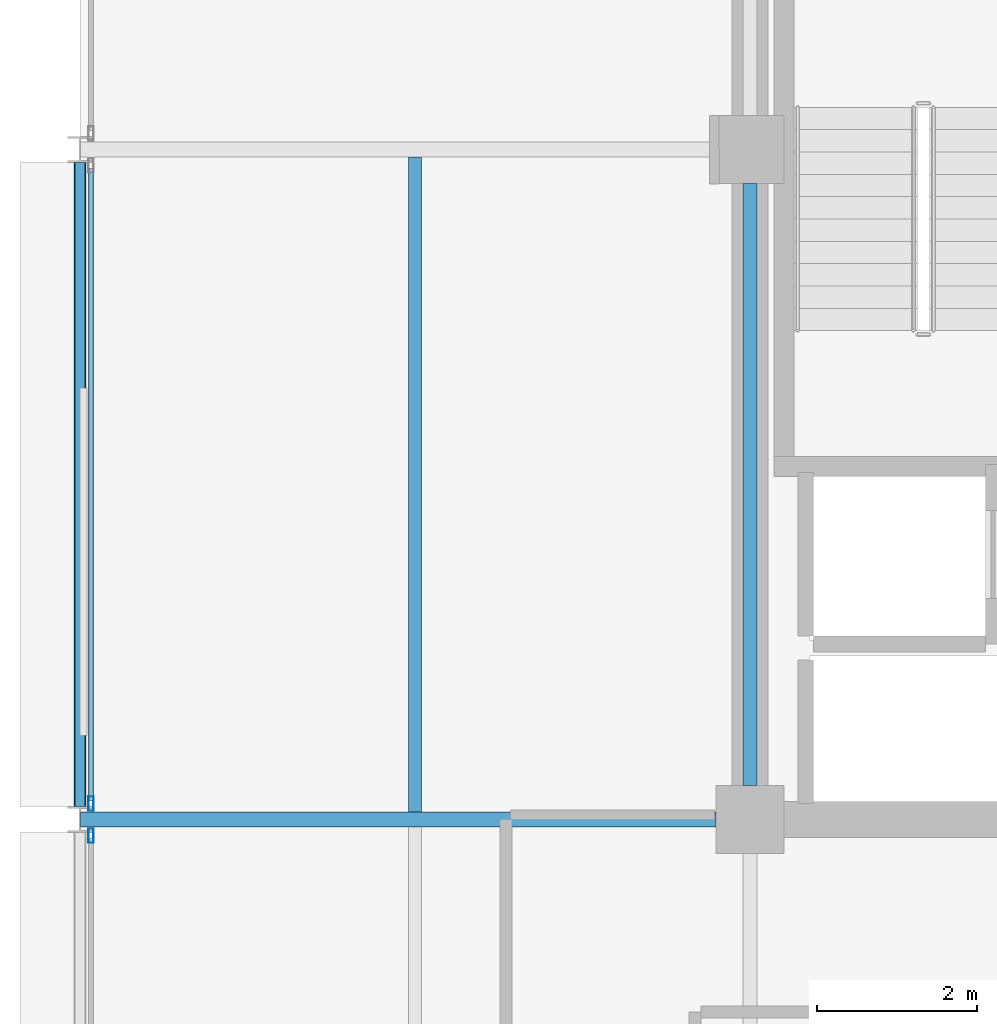
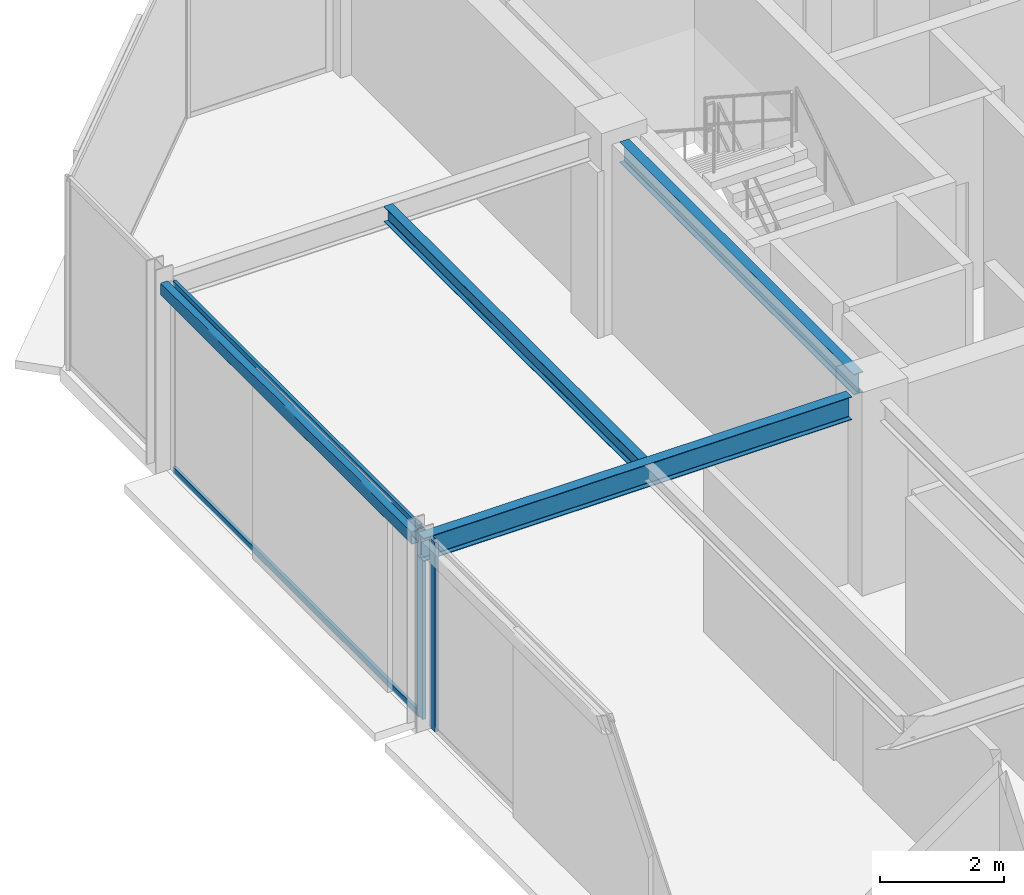
# One storey, part 11 of 27: 4 beams, 4 members, 2 elements without a shape of their own.
"""IFC4 building model written with IfcOpenShell, lengths in metres."""

from ifc_helpers import new_model, si_unit, direction, frame, origin, origin_2d, place, context, subcontext, project, spatial, hollow_rectangle, i_section, extrude, material, layer, layer_set, material_profile, profile_set, type_object, element, aggregate, save


model = new_model("IFC4")

# Units and contexts
model_context = context("Model", 3, precision=1e-05, world=origin(), true_north=direction((0.0, 1.0)))
body_context = subcontext(model_context, "Body", "Model", "MODEL_VIEW")
ifc_project = project(units=[si_unit("LENGTHUNIT", "METRE"), si_unit("AREAUNIT", "SQUARE_METRE"), si_unit("VOLUMEUNIT", "CUBIC_METRE"), si_unit("PLANEANGLEUNIT", "RADIAN"), si_unit("MASSUNIT", "GRAM", prefix="KILO")], contexts=[model_context])

# Site, building, storey
site_placement = place(None, origin())
site = spatial("IfcSite", under=ifc_project, at=site_placement, CompositionType="ELEMENT")
building_placement = place(site_placement, origin())
building = spatial("IfcBuilding", under=site, at=building_placement, Name="Nerrivon Quay Data Exchange", CompositionType="ELEMENT")
storey_placement = place(building_placement, frame((0.0, 0.0, 278.199951171875)))
storey = spatial("IfcBuildingStorey", under=building, at=storey_placement, Name="L66", CompositionType="ELEMENT", Elevation=278.199951171875)

# Beams
ifc_material_1 = material(Name="Steel Grade 350", Category="steel")
ifc_material_profile_1 = material_profile(ifc_material_1, i_section(OverallWidth=0.18994140625, OverallDepth=0.4541015625, WebThickness=0.008544921875, FlangeThickness=0.0126953125, FilletRadius=0.011474609375, at=origin_2d()), Name="460UB67.1")
ifc_profile_set_1 = profile_set([ifc_material_profile_1], Name="Steel Grade 350")
beam_type_1 = type_object("IfcBeamType", Name="BM-G6-460UB67", PredefinedType="BEAM", material=ifc_profile_set_1)
beam_1_placement = place(storey_placement, frame((0.0078125, 25.199951171875, 3.498046875), z_axis=(1.0, 0.0, 0.0), x_axis=(0.0, 1.0, 0.0)))
element("IfcBeam", 1, at=beam_1_placement, inside=storey, type_object=beam_type_1, Name="L66 EW Girder Y=25.2 (0.0..8.4)", PredefinedType="BEAM", context=body_context, shape_type="SweptSolid", body=[
    extrude(i_section(OverallWidth=0.18994140625, OverallDepth=0.4541015625, WebThickness=0.008544921875, FlangeThickness=0.0126953125, FilletRadius=0.011474609375, at=origin_2d()), origin(), (0.0, 0.0, 1.0), 7.96728515625),
])
ifc_material_profile_2 = material_profile(ifc_material_1, i_section(OverallWidth=0.177978515625, OverallDepth=0.406005859375, WebThickness=0.0078125, FlangeThickness=0.0126953125, FilletRadius=0.011474609375, at=origin_2d()), Name="410UB59.7")
ifc_profile_set_2 = profile_set([ifc_material_profile_2], Name="Steel Grade 350")
beam_type_2 = type_object("IfcBeamType", Name="BM-J1-410UB60", PredefinedType="JOIST", material=ifc_profile_set_2)
beam_2_placement = place(storey_placement, frame((8.39990234375, 25.625, 3.52197265625), z_axis=(0.0, 1.0, 0.0), x_axis=(-1.0, 0.0, 0.0)))
element("IfcBeam", 2, at=beam_2_placement, inside=storey, type_object=beam_type_2, Name="L66 NS Girder X=8.4 (25.2..33.6)", PredefinedType="JOIST", context=body_context, shape_type="SweptSolid", body=[
    extrude(i_section(OverallWidth=0.177978515625, OverallDepth=0.406005859375, WebThickness=0.0078125, FlangeThickness=0.0126953125, FilletRadius=0.011474609375, at=origin_2d()), origin(), (0.0, 0.0, 1.0), 7.550048828125),
])
ifc_material_profile_3 = material_profile(ifc_material_1, i_section(OverallWidth=0.1650390625, OverallDepth=0.303955078125, WebThickness=0.006103515625, FlangeThickness=0.01025390625, FilletRadius=0.011474609375, at=origin_2d()), Name="310UB40.4")
ifc_profile_set_3 = profile_set([ifc_material_profile_3], Name="Steel Grade 350")
beam_type_3 = type_object("IfcBeamType", Name="BM-J6-310UB40", PredefinedType="JOIST", material=ifc_profile_set_3)
beam_3_placement = place(storey_placement, frame((4.199951171875, 25.294921875, 3.572998046875), z_axis=(0.0, 1.0, 0.0), x_axis=(-1.0, 0.0, 0.0)))
element("IfcBeam", 3, at=beam_3_placement, inside=storey, type_object=beam_type_3, Name="L66 Secondary Joist X=4.2 (25.2..33.6)", PredefinedType="JOIST", context=body_context, shape_type="SweptSolid", body=[
    extrude(i_section(OverallWidth=0.1650390625, OverallDepth=0.303955078125, WebThickness=0.006103515625, FlangeThickness=0.01025390625, FilletRadius=0.011474609375, at=origin_2d()), origin(), (0.0, 0.0, 1.0), 8.2099609375),
])
ifc_material_2 = material(Name="Steel Grade C350L0 (350 MPa)", Category="steel")
ifc_material_profile_4 = material_profile(ifc_material_2, hollow_rectangle(XDim=0.14990234375, YDim=0.25, WallThickness=0.009033203125, InnerFilletRadius=0.013427734375, OuterFilletRadius=0.0224609375, at=origin_2d()), Name="250x150x9.0RHS")
ifc_profile_set_4 = profile_set([ifc_material_profile_4], Name="Steel Grade C350L0 (350 MPa)")
beam_type_4 = type_object("IfcBeamType", Name="BM-SP4-250x150RHS", PredefinedType="SPANDREL", material=ifc_profile_set_4)
beam_4_placement = place(storey_placement, frame((0.0, 25.363525390625, 3.60009765625), z_axis=(0.0, 1.0, 0.0), x_axis=(-1.0, 0.0, 0.0)))
element("IfcBeam", 4, at=beam_4_placement, inside=storey, type_object=beam_type_4, Name="L66 NS Girder X=0.0 (25.2..33.6)", PredefinedType="SPANDREL", context=body_context, shape_type="SweptSolid", body=[
    extrude(hollow_rectangle(XDim=0.14990234375, YDim=0.25, WallThickness=0.009033203125, InnerFilletRadius=0.013427734375, OuterFilletRadius=0.0224609375, at=origin_2d()), origin(), (0.0, 0.0, 1.0), 8.072998046875),
])

# Curtain wall, member
ifc_material_3 = material(Name="Anodised aluminium 6063-T6", Category="aluminium")
ifc_layer = layer(ifc_material_3, 0.195068359375)
ifc_layer_set = layer_set([ifc_layer], Name="Anodised aluminium 6063-T6")
curtain_wall_type = type_object("IfcCurtainWallType", Name="CW-SYS-06", PredefinedType="NOTDEFINED", material=ifc_layer_set)
curtain_wall_1_placement = place(storey_placement, origin())
curtain_wall_1 = element("IfcCurtainWall", 5, at=curtain_wall_1_placement, inside=storey, type_object=curtain_wall_type, Name="L66 Unitised Curtain Wall 13", PredefinedType="NOTDEFINED")
ifc_material_profile_5 = material_profile(ifc_material_3, hollow_rectangle(XDim=0.06494140625, YDim=0.179931640625, WallThickness=0.00341796875, at=origin_2d()), Name="ALU-MULL-180x65")
ifc_profile_set_5 = profile_set([ifc_material_profile_5], Name="Anodised aluminium 6063-T6")
member_type_1 = type_object("IfcMemberType", Name="CWM-180x65", PredefinedType="MULLION", material=ifc_profile_set_5)
member_1_placement = place(storey_placement, frame((0.139892578125, 24.9990234375, 0.0), z_axis=(0.0, 0.0, 1.0), x_axis=(-1.0, 0.0, 0.0)))
member_1 = element("IfcMember", 6, at=member_1_placement, type_object=member_type_1, Name="CW06 mullion 2", PredefinedType="MULLION", context=body_context, shape_type="SweptSolid", body=[
    extrude(hollow_rectangle(XDim=0.06494140625, YDim=0.179931640625, WallThickness=0.00341796875, at=origin_2d()), origin(), (0.0, 0.0, 1.0), 3.72509765625),
])
aggregate(curtain_wall_1, [member_1])

# Curtain wall, members
curtain_wall_2_placement = place(storey_placement, origin())
curtain_wall_2 = element("IfcCurtainWall", 7, at=curtain_wall_2_placement, inside=storey, type_object=curtain_wall_type, Name="L66 Unitised Curtain Wall 14", PredefinedType="NOTDEFINED")
member_2_placement = place(storey_placement, frame((0.139892578125, 25.40087890625, 0.0), z_axis=(0.0, 0.0, 1.0), x_axis=(-1.0, 0.0, 0.0)))
member_2 = element("IfcMember", 8, at=member_2_placement, type_object=member_type_1, Name="CW06 mullion 1", PredefinedType="MULLION", context=body_context, shape_type="SweptSolid", body=[
    extrude(hollow_rectangle(XDim=0.06494140625, YDim=0.179931640625, WallThickness=0.00341796875, at=origin_2d()), origin(), (0.0, 0.0, 1.0), 3.72509765625),
])
ifc_material_profile_6 = material_profile(ifc_material_3, hollow_rectangle(XDim=0.06005859375, YDim=0.1201171875, WallThickness=0.003173828125, at=origin_2d()), Name="ALU-TRAN-120x60")
ifc_profile_set_6 = profile_set([ifc_material_profile_6], Name="Anodised aluminium 6063-T6")
member_type_2 = type_object("IfcMemberType", Name="CWT-120x60", PredefinedType="USERDEFINED", material=ifc_profile_set_6)
member_3_placement = place(storey_placement, frame((0.139892578125, 25.4384765625, 0.032470703125), z_axis=(0.0, 1.0, 0.0), x_axis=(-1.0, 0.0, 0.0)))
member_3 = element("IfcMember", 9, at=member_3_placement, type_object=member_type_2, Name="CW06 transom 1.1", ObjectType="TRANSOM", PredefinedType="USERDEFINED", context=body_context, shape_type="SweptSolid", body=[
    extrude(hollow_rectangle(XDim=0.06005859375, YDim=0.1201171875, WallThickness=0.003173828125, at=origin_2d()), origin(), (0.0, 0.0, 1.0), 7.923095703125),
])
member_4_placement = place(storey_placement, frame((0.139892578125, 25.4384765625, 3.692626953125), z_axis=(0.0, 1.0, 0.0), x_axis=(-1.0, 0.0, 0.0)))
member_4 = element("IfcMember", 10, at=member_4_placement, type_object=member_type_2, Name="CW06 transom 1.2", ObjectType="TRANSOM", PredefinedType="USERDEFINED", context=body_context, shape_type="SweptSolid", body=[
    extrude(hollow_rectangle(XDim=0.06005859375, YDim=0.1201171875, WallThickness=0.003173828125, at=origin_2d()), origin(), (0.0, 0.0, 1.0), 7.923095703125),
])
aggregate(curtain_wall_2, [member_2, member_3, member_4])

save(model, "model.ifc")
